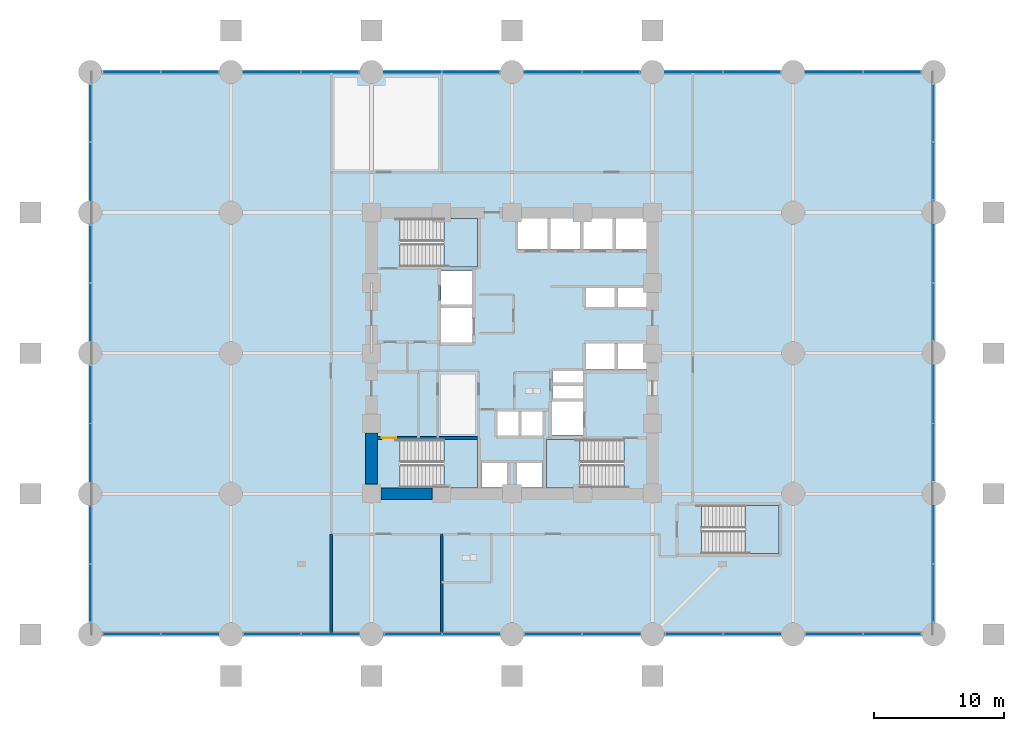
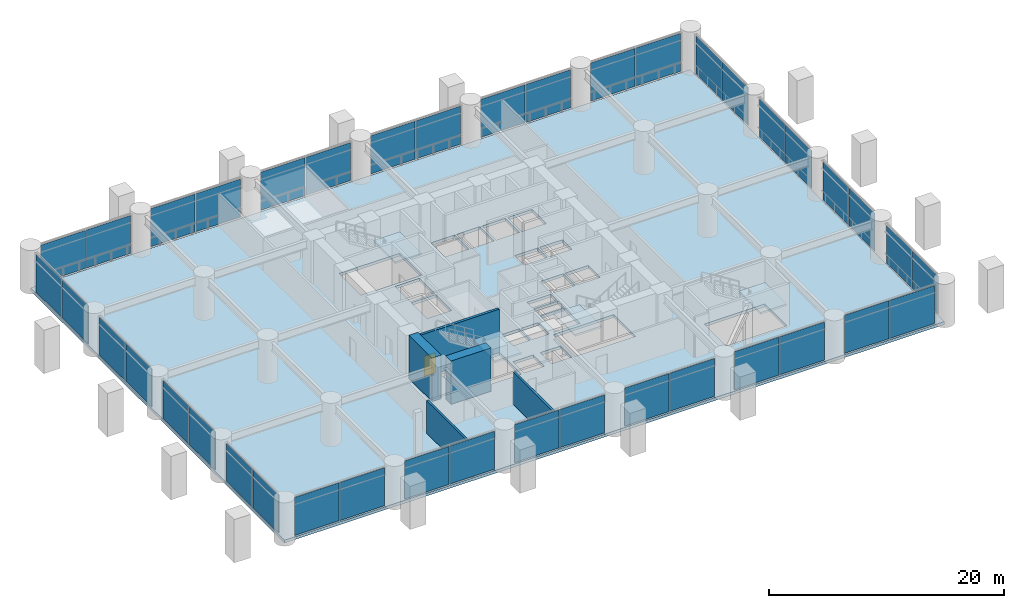
# One storey, part 22 of 31: 40 plates, 5 slabs, 5 walls, 1 door, 1 opening, 8 elements without a shape of their own.
"""IFC4 building model written with IfcOpenShell, lengths in metres."""

from ifc_helpers import new_model, si_unit, direction, frame, frame_2d, origin, place, context, subcontext, project, spatial, polyline, rectangle, outline, extrude, material, layer, layer_set, type_object, element, fill, aggregate, save


model = new_model("IFC4")

# Units and contexts
model_context = context("Model", 3, precision=1e-05, world=origin(), true_north=direction((0.0, 1.0)))
body_context = subcontext(model_context, "Body", "Model", "MODEL_VIEW")
ifc_project = project(units=[si_unit("LENGTHUNIT", "METRE"), si_unit("AREAUNIT", "SQUARE_METRE"), si_unit("VOLUMEUNIT", "CUBIC_METRE"), si_unit("PLANEANGLEUNIT", "RADIAN"), si_unit("MASSUNIT", "GRAM", prefix="KILO")], contexts=[model_context])

# Site, building, storey
site_placement = place(None, origin())
site = spatial("IfcSite", under=ifc_project, at=site_placement, CompositionType="ELEMENT")
building_placement = place(site_placement, origin())
building = spatial("IfcBuilding", under=site, at=building_placement, Name="Surkhivell Harbour Commons", CompositionType="ELEMENT")
storey_placement = place(building_placement, frame((0.0, 0.0, 4.5)))
storey = spatial("IfcBuildingStorey", under=building, at=storey_placement, Name="L01", CompositionType="ELEMENT", Elevation=4.5)

# Curtain wall, plates
ifc_material_1 = material(Name="Anodised pale-metal aluminium and insulated glazing", Category="aluminium")
ifc_layer_1 = layer(ifc_material_1, 0.239990234375)
ifc_layer_set_1 = layer_set([ifc_layer_1], Name="Anodised pale-metal aluminium and insulated glazing")
curtain_wall_type = type_object("IfcCurtainWallType", Name="CW-SYS-POD", PredefinedType="NOTDEFINED", material=ifc_layer_set_1)
curtain_wall_1_placement = place(storey_placement, origin())
curtain_wall_1 = element("IfcCurtainWall", 1, at=curtain_wall_1_placement, inside=storey, type_object=curtain_wall_type, Name="L01 Curtain Wall CW-L01-P01", PredefinedType="NOTDEFINED")
ifc_material_2 = material(Name="Double-silver low-E laminated vision glass", Category="glass")
ifc_layer_2 = layer(ifc_material_2, 0.031982421875)
ifc_layer_set_2 = layer_set([ifc_layer_2], Name="Double-silver low-E laminated vision glass")
plate_type = type_object("IfcPlateType", Name="CWP-GLZ-32", PredefinedType="CURTAIN_PANEL", material=ifc_layer_set_2)
plate_1_placement = place(storey_placement, frame((-31.423095703125, -21.60009765625, 0.14990234375), z_axis=(0.0, 0.0, 1.0), x_axis=(1.0, 0.0, 0.0)))
plate_1 = element("IfcPlate", 2, at=plate_1_placement, type_object=plate_type, Name="CW-POD panel 1.1", PredefinedType="CURTAIN_PANEL", context=body_context, shape_type="SweptSolid", body=[
    extrude(rectangle(XDim=4.385498046875, YDim=0.031982421875, at=frame_2d((2.19287109375, 0.0))), origin(), (0.0, 0.0, 1.0), 3.9501953125),
])
plate_2_placement = place(storey_placement, frame((-26.96240234375, -21.60009765625, 0.14990234375), z_axis=(0.0, 0.0, 1.0), x_axis=(1.0, 0.0, 0.0)))
plate_2 = element("IfcPlate", 3, at=plate_2_placement, type_object=plate_type, Name="CW-POD panel 2.1", PredefinedType="CURTAIN_PANEL", context=body_context, shape_type="SweptSolid", body=[
    extrude(rectangle(XDim=4.385498046875, YDim=0.031982421875, at=frame_2d((2.19287109375, 0.0))), origin(), (0.0, 0.0, 1.0), 3.9501953125),
])
plate_3_placement = place(storey_placement, frame((-20.623046875, -21.60009765625, 0.14990234375), z_axis=(0.0, 0.0, 1.0), x_axis=(1.0, 0.0, 0.0)))
plate_3 = element("IfcPlate", 4, at=plate_3_placement, type_object=plate_type, Name="CW-POD panel 3.1", PredefinedType="CURTAIN_PANEL", context=body_context, shape_type="SweptSolid", body=[
    extrude(rectangle(XDim=4.385498046875, YDim=0.031982421875, at=frame_2d((2.19287109375, 0.0))), origin(), (0.0, 0.0, 1.0), 3.9501953125),
])
plate_4_placement = place(storey_placement, frame((-16.16259765625, -21.60009765625, 0.14990234375), z_axis=(0.0, 0.0, 1.0), x_axis=(1.0, 0.0, 0.0)))
plate_4 = element("IfcPlate", 5, at=plate_4_placement, type_object=plate_type, Name="CW-POD panel 4.1", PredefinedType="CURTAIN_PANEL", context=body_context, shape_type="SweptSolid", body=[
    extrude(rectangle(XDim=4.385498046875, YDim=0.031982421875, at=frame_2d((2.19287109375, 0.0))), origin(), (0.0, 0.0, 1.0), 3.9501953125),
])
plate_5_placement = place(storey_placement, frame((-9.822998046875, -21.60009765625, 0.14990234375), z_axis=(0.0, 0.0, 1.0), x_axis=(1.0, 0.0, 0.0)))
plate_5 = element("IfcPlate", 6, at=plate_5_placement, type_object=plate_type, Name="CW-POD panel 5.1", PredefinedType="CURTAIN_PANEL", context=body_context, shape_type="SweptSolid", body=[
    extrude(rectangle(XDim=4.385498046875, YDim=0.031982421875, at=frame_2d((2.19287109375, 0.0))), origin(), (0.0, 0.0, 1.0), 3.9501953125),
])
plate_6_placement = place(storey_placement, frame((-5.362548828125, -21.60009765625, 0.14990234375), z_axis=(0.0, 0.0, 1.0), x_axis=(1.0, 0.0, 0.0)))
plate_6 = element("IfcPlate", 7, at=plate_6_placement, type_object=plate_type, Name="CW-POD panel 6.1", PredefinedType="CURTAIN_PANEL", context=body_context, shape_type="SweptSolid", body=[
    extrude(rectangle(XDim=4.385498046875, YDim=0.031982421875, at=frame_2d((2.19287109375, 0.0))), origin(), (0.0, 0.0, 1.0), 3.9501953125),
])
plate_7_placement = place(storey_placement, frame((0.97705078125, -21.60009765625, 0.14990234375), z_axis=(0.0, 0.0, 1.0), x_axis=(1.0, 0.0, 0.0)))
plate_7 = element("IfcPlate", 8, at=plate_7_placement, type_object=plate_type, Name="CW-POD panel 7.1", PredefinedType="CURTAIN_PANEL", context=body_context, shape_type="SweptSolid", body=[
    extrude(rectangle(XDim=4.385498046875, YDim=0.031982421875, at=frame_2d((2.19287109375, 0.0))), origin(), (0.0, 0.0, 1.0), 3.9501953125),
])
plate_8_placement = place(storey_placement, frame((5.4375, -21.60009765625, 0.14990234375), z_axis=(0.0, 0.0, 1.0), x_axis=(1.0, 0.0, 0.0)))
plate_8 = element("IfcPlate", 9, at=plate_8_placement, type_object=plate_type, Name="CW-POD panel 8.1", PredefinedType="CURTAIN_PANEL", context=body_context, shape_type="SweptSolid", body=[
    extrude(rectangle(XDim=4.385498046875, YDim=0.031982421875, at=frame_2d((2.19287109375, 0.0))), origin(), (0.0, 0.0, 1.0), 3.9501953125),
])
plate_9_placement = place(storey_placement, frame((11.777099609375, -21.60009765625, 0.14990234375), z_axis=(0.0, 0.0, 1.0), x_axis=(1.0, 0.0, 0.0)))
plate_9 = element("IfcPlate", 10, at=plate_9_placement, type_object=plate_type, Name="CW-POD panel 9.1", PredefinedType="CURTAIN_PANEL", context=body_context, shape_type="SweptSolid", body=[
    extrude(rectangle(XDim=4.385498046875, YDim=0.031982421875, at=frame_2d((2.19287109375, 0.0))), origin(), (0.0, 0.0, 1.0), 3.9501953125),
])
plate_10_placement = place(storey_placement, frame((16.237548828125, -21.60009765625, 0.14990234375), z_axis=(0.0, 0.0, 1.0), x_axis=(1.0, 0.0, 0.0)))
plate_10 = element("IfcPlate", 11, at=plate_10_placement, type_object=plate_type, Name="CW-POD panel 10.1", PredefinedType="CURTAIN_PANEL", context=body_context, shape_type="SweptSolid", body=[
    extrude(rectangle(XDim=4.385498046875, YDim=0.031982421875, at=frame_2d((2.19287109375, 0.0))), origin(), (0.0, 0.0, 1.0), 3.9501953125),
])
plate_11_placement = place(storey_placement, frame((22.576904296875, -21.60009765625, 0.14990234375), z_axis=(0.0, 0.0, 1.0), x_axis=(1.0, 0.0, 0.0)))
plate_11 = element("IfcPlate", 12, at=plate_11_placement, type_object=plate_type, Name="CW-POD panel 11.1", PredefinedType="CURTAIN_PANEL", context=body_context, shape_type="SweptSolid", body=[
    extrude(rectangle(XDim=4.385498046875, YDim=0.031982421875, at=frame_2d((2.19287109375, 0.0))), origin(), (0.0, 0.0, 1.0), 3.9501953125),
])
plate_12_placement = place(storey_placement, frame((27.03759765625, -21.60009765625, 0.14990234375), z_axis=(0.0, 0.0, 1.0), x_axis=(1.0, 0.0, 0.0)))
plate_12 = element("IfcPlate", 13, at=plate_12_placement, type_object=plate_type, Name="CW-POD panel 12.1", PredefinedType="CURTAIN_PANEL", context=body_context, shape_type="SweptSolid", body=[
    extrude(rectangle(XDim=4.385498046875, YDim=0.031982421875, at=frame_2d((2.19287109375, 0.0))), origin(), (0.0, 0.0, 1.0), 3.9501953125),
])
aggregate(curtain_wall_1, [plate_1, plate_2, plate_3, plate_4, plate_5, plate_6, plate_7, plate_8, plate_9, plate_10, plate_11, plate_12])

curtain_wall_2_placement = place(storey_placement, origin())
curtain_wall_2 = element("IfcCurtainWall", 14, at=curtain_wall_2_placement, inside=storey, type_object=curtain_wall_type, Name="L01 Curtain Wall CW-L01-P02", PredefinedType="NOTDEFINED")
plate_13_placement = place(storey_placement, frame((32.39990234375, -20.623046875, 0.14990234375), z_axis=(0.0, 0.0, 1.0), x_axis=(0.0, 1.0, 0.0)))
plate_13 = element("IfcPlate", 15, at=plate_13_placement, type_object=plate_type, Name="CW-POD panel 1.1", PredefinedType="CURTAIN_PANEL", context=body_context, shape_type="SweptSolid", body=[
    extrude(rectangle(XDim=4.385498046875, YDim=0.031982421875, at=frame_2d((2.19287109375, 0.0))), origin(), (0.0, 0.0, 1.0), 3.9501953125),
])
plate_14_placement = place(storey_placement, frame((32.39990234375, -16.16259765625, 0.14990234375), z_axis=(0.0, 0.0, 1.0), x_axis=(0.0, 1.0, 0.0)))
plate_14 = element("IfcPlate", 16, at=plate_14_placement, type_object=plate_type, Name="CW-POD panel 2.1", PredefinedType="CURTAIN_PANEL", context=body_context, shape_type="SweptSolid", body=[
    extrude(rectangle(XDim=4.385498046875, YDim=0.031982421875, at=frame_2d((2.19287109375, 0.0))), origin(), (0.0, 0.0, 1.0), 3.9501953125),
])
plate_15_placement = place(storey_placement, frame((32.39990234375, -9.822998046875, 0.14990234375), z_axis=(0.0, 0.0, 1.0), x_axis=(0.0, 1.0, 0.0)))
plate_15 = element("IfcPlate", 17, at=plate_15_placement, type_object=plate_type, Name="CW-POD panel 3.1", PredefinedType="CURTAIN_PANEL", context=body_context, shape_type="SweptSolid", body=[
    extrude(rectangle(XDim=4.385498046875, YDim=0.031982421875, at=frame_2d((2.19287109375, 0.0))), origin(), (0.0, 0.0, 1.0), 3.9501953125),
])
plate_16_placement = place(storey_placement, frame((32.39990234375, -5.362548828125, 0.14990234375), z_axis=(0.0, 0.0, 1.0), x_axis=(0.0, 1.0, 0.0)))
plate_16 = element("IfcPlate", 18, at=plate_16_placement, type_object=plate_type, Name="CW-POD panel 4.1", PredefinedType="CURTAIN_PANEL", context=body_context, shape_type="SweptSolid", body=[
    extrude(rectangle(XDim=4.385498046875, YDim=0.031982421875, at=frame_2d((2.19287109375, 0.0))), origin(), (0.0, 0.0, 1.0), 3.9501953125),
])
plate_17_placement = place(storey_placement, frame((32.39990234375, 0.97705078125, 0.14990234375), z_axis=(0.0, 0.0, 1.0), x_axis=(0.0, 1.0, 0.0)))
plate_17 = element("IfcPlate", 19, at=plate_17_placement, type_object=plate_type, Name="CW-POD panel 5.1", PredefinedType="CURTAIN_PANEL", context=body_context, shape_type="SweptSolid", body=[
    extrude(rectangle(XDim=4.385498046875, YDim=0.031982421875, at=frame_2d((2.19287109375, 0.0))), origin(), (0.0, 0.0, 1.0), 3.9501953125),
])
plate_18_placement = place(storey_placement, frame((32.39990234375, 5.4375, 0.14990234375), z_axis=(0.0, 0.0, 1.0), x_axis=(0.0, 1.0, 0.0)))
plate_18 = element("IfcPlate", 20, at=plate_18_placement, type_object=plate_type, Name="CW-POD panel 6.1", PredefinedType="CURTAIN_PANEL", context=body_context, shape_type="SweptSolid", body=[
    extrude(rectangle(XDim=4.385498046875, YDim=0.031982421875, at=frame_2d((2.19287109375, 0.0))), origin(), (0.0, 0.0, 1.0), 3.9501953125),
])
plate_19_placement = place(storey_placement, frame((32.39990234375, 11.777099609375, 0.14990234375), z_axis=(0.0, 0.0, 1.0), x_axis=(0.0, 1.0, 0.0)))
plate_19 = element("IfcPlate", 21, at=plate_19_placement, type_object=plate_type, Name="CW-POD panel 7.1", PredefinedType="CURTAIN_PANEL", context=body_context, shape_type="SweptSolid", body=[
    extrude(rectangle(XDim=4.385498046875, YDim=0.031982421875, at=frame_2d((2.19287109375, 0.0))), origin(), (0.0, 0.0, 1.0), 3.9501953125),
])
plate_20_placement = place(storey_placement, frame((32.39990234375, 16.237548828125, 0.14990234375), z_axis=(0.0, 0.0, 1.0), x_axis=(0.0, 1.0, 0.0)))
plate_20 = element("IfcPlate", 22, at=plate_20_placement, type_object=plate_type, Name="CW-POD panel 8.1", PredefinedType="CURTAIN_PANEL", context=body_context, shape_type="SweptSolid", body=[
    extrude(rectangle(XDim=4.385498046875, YDim=0.031982421875, at=frame_2d((2.19287109375, 0.0))), origin(), (0.0, 0.0, 1.0), 3.9501953125),
])
aggregate(curtain_wall_2, [plate_13, plate_14, plate_15, plate_16, plate_17, plate_18, plate_19, plate_20])

curtain_wall_3_placement = place(storey_placement, origin())
curtain_wall_3 = element("IfcCurtainWall", 23, at=curtain_wall_3_placement, inside=storey, type_object=curtain_wall_type, Name="L01 Curtain Wall CW-L01-P03", PredefinedType="NOTDEFINED")
plate_21_placement = place(storey_placement, frame((31.423095703125, 21.60009765625, 0.14990234375), z_axis=(0.0, 0.0, 1.0), x_axis=(-1.0, 0.0, 0.0)))
plate_21 = element("IfcPlate", 24, at=plate_21_placement, type_object=plate_type, Name="CW-POD panel 1.1", PredefinedType="CURTAIN_PANEL", context=body_context, shape_type="SweptSolid", body=[
    extrude(rectangle(XDim=4.385498046875, YDim=0.031982421875, at=frame_2d((2.19287109375, 0.0))), origin(), (0.0, 0.0, 1.0), 3.9501953125),
])
plate_22_placement = place(storey_placement, frame((26.96240234375, 21.60009765625, 0.14990234375), z_axis=(0.0, 0.0, 1.0), x_axis=(-1.0, 0.0, 0.0)))
plate_22 = element("IfcPlate", 25, at=plate_22_placement, type_object=plate_type, Name="CW-POD panel 2.1", PredefinedType="CURTAIN_PANEL", context=body_context, shape_type="SweptSolid", body=[
    extrude(rectangle(XDim=4.385498046875, YDim=0.031982421875, at=frame_2d((2.19287109375, 0.0))), origin(), (0.0, 0.0, 1.0), 3.9501953125),
])
plate_23_placement = place(storey_placement, frame((20.623046875, 21.60009765625, 0.14990234375), z_axis=(0.0, 0.0, 1.0), x_axis=(-1.0, 0.0, 0.0)))
plate_23 = element("IfcPlate", 26, at=plate_23_placement, type_object=plate_type, Name="CW-POD panel 3.1", PredefinedType="CURTAIN_PANEL", context=body_context, shape_type="SweptSolid", body=[
    extrude(rectangle(XDim=4.385498046875, YDim=0.031982421875, at=frame_2d((2.19287109375, 0.0))), origin(), (0.0, 0.0, 1.0), 3.9501953125),
])
plate_24_placement = place(storey_placement, frame((16.16259765625, 21.60009765625, 0.14990234375), z_axis=(0.0, 0.0, 1.0), x_axis=(-1.0, 0.0, 0.0)))
plate_24 = element("IfcPlate", 27, at=plate_24_placement, type_object=plate_type, Name="CW-POD panel 4.1", PredefinedType="CURTAIN_PANEL", context=body_context, shape_type="SweptSolid", body=[
    extrude(rectangle(XDim=4.385498046875, YDim=0.031982421875, at=frame_2d((2.19287109375, 0.0))), origin(), (0.0, 0.0, 1.0), 3.9501953125),
])
plate_25_placement = place(storey_placement, frame((9.822998046875, 21.60009765625, 0.14990234375), z_axis=(0.0, 0.0, 1.0), x_axis=(-1.0, 0.0, 0.0)))
plate_25 = element("IfcPlate", 28, at=plate_25_placement, type_object=plate_type, Name="CW-POD panel 5.1", PredefinedType="CURTAIN_PANEL", context=body_context, shape_type="SweptSolid", body=[
    extrude(rectangle(XDim=4.385498046875, YDim=0.031982421875, at=frame_2d((2.19287109375, 0.0))), origin(), (0.0, 0.0, 1.0), 3.9501953125),
])
plate_26_placement = place(storey_placement, frame((5.362548828125, 21.60009765625, 0.14990234375), z_axis=(0.0, 0.0, 1.0), x_axis=(-1.0, 0.0, 0.0)))
plate_26 = element("IfcPlate", 29, at=plate_26_placement, type_object=plate_type, Name="CW-POD panel 6.1", PredefinedType="CURTAIN_PANEL", context=body_context, shape_type="SweptSolid", body=[
    extrude(rectangle(XDim=4.385498046875, YDim=0.031982421875, at=frame_2d((2.19287109375, 0.0))), origin(), (0.0, 0.0, 1.0), 3.9501953125),
])
plate_27_placement = place(storey_placement, frame((-0.97705078125, 21.60009765625, 0.14990234375), z_axis=(0.0, 0.0, 1.0), x_axis=(-1.0, 0.0, 0.0)))
plate_27 = element("IfcPlate", 30, at=plate_27_placement, type_object=plate_type, Name="CW-POD panel 7.1", PredefinedType="CURTAIN_PANEL", context=body_context, shape_type="SweptSolid", body=[
    extrude(rectangle(XDim=4.385498046875, YDim=0.031982421875, at=frame_2d((2.19287109375, 0.0))), origin(), (0.0, 0.0, 1.0), 3.9501953125),
])
plate_28_placement = place(storey_placement, frame((-5.4375, 21.60009765625, 0.14990234375), z_axis=(0.0, 0.0, 1.0), x_axis=(-1.0, 0.0, 0.0)))
plate_28 = element("IfcPlate", 31, at=plate_28_placement, type_object=plate_type, Name="CW-POD panel 8.1", PredefinedType="CURTAIN_PANEL", context=body_context, shape_type="SweptSolid", body=[
    extrude(rectangle(XDim=4.385498046875, YDim=0.031982421875, at=frame_2d((2.19287109375, 0.0))), origin(), (0.0, 0.0, 1.0), 3.9501953125),
])
plate_29_placement = place(storey_placement, frame((-11.777099609375, 21.60009765625, 0.14990234375), z_axis=(0.0, 0.0, 1.0), x_axis=(-1.0, 0.0, 0.0)))
plate_29 = element("IfcPlate", 32, at=plate_29_placement, type_object=plate_type, Name="CW-POD panel 9.1", PredefinedType="CURTAIN_PANEL", context=body_context, shape_type="SweptSolid", body=[
    extrude(rectangle(XDim=4.385498046875, YDim=0.031982421875, at=frame_2d((2.19287109375, 0.0))), origin(), (0.0, 0.0, 1.0), 3.9501953125),
])
plate_30_placement = place(storey_placement, frame((-16.237548828125, 21.60009765625, 0.14990234375), z_axis=(0.0, 0.0, 1.0), x_axis=(-1.0, 0.0, 0.0)))
plate_30 = element("IfcPlate", 33, at=plate_30_placement, type_object=plate_type, Name="CW-POD panel 10.1", PredefinedType="CURTAIN_PANEL", context=body_context, shape_type="SweptSolid", body=[
    extrude(rectangle(XDim=4.385498046875, YDim=0.031982421875, at=frame_2d((2.19287109375, 0.0))), origin(), (0.0, 0.0, 1.0), 3.9501953125),
])
plate_31_placement = place(storey_placement, frame((-22.576904296875, 21.60009765625, 0.14990234375), z_axis=(0.0, 0.0, 1.0), x_axis=(-1.0, 0.0, 0.0)))
plate_31 = element("IfcPlate", 34, at=plate_31_placement, type_object=plate_type, Name="CW-POD panel 11.1", PredefinedType="CURTAIN_PANEL", context=body_context, shape_type="SweptSolid", body=[
    extrude(rectangle(XDim=4.385498046875, YDim=0.031982421875, at=frame_2d((2.19287109375, 0.0))), origin(), (0.0, 0.0, 1.0), 3.9501953125),
])
plate_32_placement = place(storey_placement, frame((-27.03759765625, 21.60009765625, 0.14990234375), z_axis=(0.0, 0.0, 1.0), x_axis=(-1.0, 0.0, 0.0)))
plate_32 = element("IfcPlate", 35, at=plate_32_placement, type_object=plate_type, Name="CW-POD panel 12.1", PredefinedType="CURTAIN_PANEL", context=body_context, shape_type="SweptSolid", body=[
    extrude(rectangle(XDim=4.385498046875, YDim=0.031982421875, at=frame_2d((2.19287109375, 0.0))), origin(), (0.0, 0.0, 1.0), 3.9501953125),
])
aggregate(curtain_wall_3, [plate_21, plate_22, plate_23, plate_24, plate_25, plate_26, plate_27, plate_28, plate_29, plate_30, plate_31, plate_32])

curtain_wall_4_placement = place(storey_placement, origin())
curtain_wall_4 = element("IfcCurtainWall", 36, at=curtain_wall_4_placement, inside=storey, type_object=curtain_wall_type, Name="L01 Curtain Wall CW-L01-P04", PredefinedType="NOTDEFINED")
plate_33_placement = place(storey_placement, frame((-32.39990234375, 20.623046875, 0.14990234375), z_axis=(0.0, 0.0, 1.0), x_axis=(0.0, -1.0, 0.0)))
plate_33 = element("IfcPlate", 37, at=plate_33_placement, type_object=plate_type, Name="CW-POD panel 1.1", PredefinedType="CURTAIN_PANEL", context=body_context, shape_type="SweptSolid", body=[
    extrude(rectangle(XDim=4.385498046875, YDim=0.031982421875, at=frame_2d((2.19287109375, 0.0))), origin(), (0.0, 0.0, 1.0), 3.9501953125),
])
plate_34_placement = place(storey_placement, frame((-32.39990234375, 16.16259765625, 0.14990234375), z_axis=(0.0, 0.0, 1.0), x_axis=(0.0, -1.0, 0.0)))
plate_34 = element("IfcPlate", 38, at=plate_34_placement, type_object=plate_type, Name="CW-POD panel 2.1", PredefinedType="CURTAIN_PANEL", context=body_context, shape_type="SweptSolid", body=[
    extrude(rectangle(XDim=4.385498046875, YDim=0.031982421875, at=frame_2d((2.19287109375, 0.0))), origin(), (0.0, 0.0, 1.0), 3.9501953125),
])
plate_35_placement = place(storey_placement, frame((-32.39990234375, 9.822998046875, 0.14990234375), z_axis=(0.0, 0.0, 1.0), x_axis=(0.0, -1.0, 0.0)))
plate_35 = element("IfcPlate", 39, at=plate_35_placement, type_object=plate_type, Name="CW-POD panel 3.1", PredefinedType="CURTAIN_PANEL", context=body_context, shape_type="SweptSolid", body=[
    extrude(rectangle(XDim=4.385498046875, YDim=0.031982421875, at=frame_2d((2.19287109375, 0.0))), origin(), (0.0, 0.0, 1.0), 3.9501953125),
])
plate_36_placement = place(storey_placement, frame((-32.39990234375, 5.362548828125, 0.14990234375), z_axis=(0.0, 0.0, 1.0), x_axis=(0.0, -1.0, 0.0)))
plate_36 = element("IfcPlate", 40, at=plate_36_placement, type_object=plate_type, Name="CW-POD panel 4.1", PredefinedType="CURTAIN_PANEL", context=body_context, shape_type="SweptSolid", body=[
    extrude(rectangle(XDim=4.385498046875, YDim=0.031982421875, at=frame_2d((2.19287109375, 0.0))), origin(), (0.0, 0.0, 1.0), 3.9501953125),
])
plate_37_placement = place(storey_placement, frame((-32.39990234375, -0.97705078125, 0.14990234375), z_axis=(0.0, 0.0, 1.0), x_axis=(0.0, -1.0, 0.0)))
plate_37 = element("IfcPlate", 41, at=plate_37_placement, type_object=plate_type, Name="CW-POD panel 5.1", PredefinedType="CURTAIN_PANEL", context=body_context, shape_type="SweptSolid", body=[
    extrude(rectangle(XDim=4.385498046875, YDim=0.031982421875, at=frame_2d((2.19287109375, 0.0))), origin(), (0.0, 0.0, 1.0), 3.9501953125),
])
plate_38_placement = place(storey_placement, frame((-32.39990234375, -5.4375, 0.14990234375), z_axis=(0.0, 0.0, 1.0), x_axis=(0.0, -1.0, 0.0)))
plate_38 = element("IfcPlate", 42, at=plate_38_placement, type_object=plate_type, Name="CW-POD panel 6.1", PredefinedType="CURTAIN_PANEL", context=body_context, shape_type="SweptSolid", body=[
    extrude(rectangle(XDim=4.385498046875, YDim=0.031982421875, at=frame_2d((2.19287109375, 0.0))), origin(), (0.0, 0.0, 1.0), 3.9501953125),
])
plate_39_placement = place(storey_placement, frame((-32.39990234375, -11.777099609375, 0.14990234375), z_axis=(0.0, 0.0, 1.0), x_axis=(0.0, -1.0, 0.0)))
plate_39 = element("IfcPlate", 43, at=plate_39_placement, type_object=plate_type, Name="CW-POD panel 7.1", PredefinedType="CURTAIN_PANEL", context=body_context, shape_type="SweptSolid", body=[
    extrude(rectangle(XDim=4.385498046875, YDim=0.031982421875, at=frame_2d((2.19287109375, 0.0))), origin(), (0.0, 0.0, 1.0), 3.9501953125),
])
plate_40_placement = place(storey_placement, frame((-32.39990234375, -16.237548828125, 0.14990234375), z_axis=(0.0, 0.0, 1.0), x_axis=(0.0, -1.0, 0.0)))
plate_40 = element("IfcPlate", 44, at=plate_40_placement, type_object=plate_type, Name="CW-POD panel 8.1", PredefinedType="CURTAIN_PANEL", context=body_context, shape_type="SweptSolid", body=[
    extrude(rectangle(XDim=4.385498046875, YDim=0.031982421875, at=frame_2d((2.19287109375, 0.0))), origin(), (0.0, 0.0, 1.0), 3.9501953125),
])
aggregate(curtain_wall_4, [plate_33, plate_34, plate_35, plate_36, plate_37, plate_38, plate_39, plate_40])

# Slab
ifc_material_3 = material(Name="Concrete C50/60", Category="concrete")
ifc_layer_3 = layer(ifc_material_3, 0.300048828125)
ifc_layer_set_3 = layer_set([ifc_layer_3], Name="Concrete C50/60")
slab_type_1 = type_object("IfcSlabType", Name="SLB-POD-300", PredefinedType="FLOOR", material=ifc_layer_set_3)
slab_1_placement = place(storey_placement, frame((0.0, 0.0, -0.300048828125)))
element("IfcSlab", 45, at=slab_1_placement, inside=storey, type_object=slab_type_1, Name="L01 Structural Floor Slab", PredefinedType="FLOOR", context=body_context, shape_type="SweptSolid", body=[
    extrude(outline(polyline([(-32.39990234375, -21.60009765625), (32.39990234375, -21.60009765625), (32.39990234375, 21.60009765625), (-32.39990234375, 21.60009765625), (-32.39990234375, -21.60009765625)]), holes=[polyline([(-8.590087890625, 6.639892578125), (-2.639892578125, 6.639892578125), (-2.639892578125, 10.340087890625), (-8.590087890625, 10.340087890625), (-8.590087890625, 6.639892578125)]), polyline([(8.590087890625, -6.639892578125), (2.639892578125, -6.639892578125), (2.639892578125, -10.340087890625), (8.590087890625, -10.340087890625), (8.590087890625, -6.639892578125)]), polyline([(-8.590087890625, -10.340087890625), (-2.639892578125, -10.340087890625), (-2.639892578125, -6.639892578125), (-8.590087890625, -6.639892578125), (-8.590087890625, -10.340087890625)]), polyline([(14.550048828125, -15.39990234375), (20.5, -15.39990234375), (20.5, -11.699951171875), (14.550048828125, -11.699951171875), (14.550048828125, -15.39990234375)]), polyline([(0.449951171875, 7.949951171875), (2.75, 7.949951171875), (2.75, 10.35009765625), (0.449951171875, 10.35009765625), (0.449951171875, 7.949951171875)]), polyline([(2.949951171875, 7.949951171875), (5.25, 7.949951171875), (5.25, 10.35009765625), (2.949951171875, 10.35009765625), (2.949951171875, 7.949951171875)]), polyline([(5.449951171875, 7.949951171875), (7.75, 7.949951171875), (7.75, 10.35009765625), (5.449951171875, 10.35009765625), (5.449951171875, 7.949951171875)]), polyline([(7.949951171875, 7.949951171875), (10.35009765625, 7.949951171875), (10.35009765625, 10.35009765625), (7.949951171875, 10.35009765625), (7.949951171875, 7.949951171875)]), polyline([(5.64990234375, 3.550048828125), (7.89990234375, 3.550048828125), (7.89990234375, 5.14990234375), (5.64990234375, 5.14990234375), (5.64990234375, 3.550048828125)]), polyline([(8.10009765625, 3.550048828125), (10.35009765625, 3.550048828125), (10.35009765625, 5.14990234375), (8.10009765625, 5.14990234375), (8.10009765625, 3.550048828125)]), polyline([(5.64990234375, -1.25), (7.89990234375, -1.25), (7.89990234375, 0.75), (5.64990234375, 0.75), (5.64990234375, -1.25)]), polyline([(8.10009765625, -1.25), (10.35009765625, -1.25), (10.35009765625, 0.75), (8.10009765625, 0.75), (8.10009765625, -1.25)]), polyline([(-1.14990234375, -6.35009765625), (0.550048828125, -6.35009765625), (0.550048828125, -4.449951171875), (-1.14990234375, -4.449951171875), (-1.14990234375, -6.35009765625)]), polyline([(0.679931640625, -6.35009765625), (2.3798828125, -6.35009765625), (2.3798828125, -4.449951171875), (0.679931640625, -4.449951171875), (0.679931640625, -6.35009765625)]), polyline([(-2.35009765625, -10.300048828125), (-0.35009765625, -10.300048828125), (-0.35009765625, -8.39990234375), (-2.35009765625, -8.39990234375), (-2.35009765625, -10.300048828125)]), polyline([(0.35009765625, -10.300048828125), (2.35009765625, -10.300048828125), (2.35009765625, -8.39990234375), (0.35009765625, -8.39990234375), (0.35009765625, -10.300048828125)]), polyline([(-5.449951171875, 3.699951171875), (-3.050048828125, 3.699951171875), (-3.050048828125, 6.300048828125), (-5.449951171875, 6.300048828125), (-5.449951171875, 3.699951171875)]), polyline([(3.050048828125, -6.300048828125), (5.449951171875, -6.300048828125), (5.449951171875, -3.699951171875), (3.050048828125, -3.699951171875), (3.050048828125, -6.300048828125)]), polyline([(-5.449951171875, 0.800048828125), (-3.050048828125, 0.800048828125), (-3.050048828125, 3.5), (-5.449951171875, 3.5), (-5.449951171875, 0.800048828125)]), polyline([(3.10009765625, -3.550048828125), (5.449951171875, -3.550048828125), (5.449951171875, -2.47998046875), (3.10009765625, -2.47998046875), (3.10009765625, -3.550048828125)]), polyline([(3.10009765625, -2.280029296875), (5.449951171875, -2.280029296875), (5.449951171875, -1.35009765625), (3.10009765625, -1.35009765625), (3.10009765625, -2.280029296875)])]), origin(), (0.0, 0.0, 1.0), 0.300048828125),
])

# Stair, slab
ifc_material_4 = material(Name="Precast concrete C45/55", Category="concrete")
stair_type = type_object("IfcStairType", Name="STR-DL-450", PredefinedType="HALF_TURN_STAIR", material=ifc_material_4)
stair_1_placement = place(storey_placement, origin())
stair_1 = element("IfcStair", 46, at=stair_1_placement, inside=storey, type_object=stair_type, Name="L01 Core Exit Stair ST1", PredefinedType="HALF_TURN_STAIR")
ifc_material_5 = material(Name="Reinforced concrete C45/55", Category="concrete")
ifc_layer_4 = layer(ifc_material_5, 0.199951171875)
ifc_layer_set_4 = layer_set([ifc_layer_4], Name="Reinforced concrete C45/55")
slab_type_2 = type_object("IfcSlabType", Name="SLB-ST-LND200", PredefinedType="LANDING", material=ifc_layer_set_4)
slab_2_placement = place(storey_placement, frame((0.0, 0.0, 2.050048828125)))
slab_2 = element("IfcSlab", 47, at=slab_2_placement, type_object=slab_type_2, Name="ST1 landing 1", PredefinedType="LANDING", context=body_context, shape_type="SweptSolid", body=[
    extrude(outline(polyline([(-5.22998046875, 6.639892578125), (-2.639892578125, 6.639892578125), (-2.639892578125, 10.340087890625), (-5.22998046875, 10.340087890625), (-5.22998046875, 6.639892578125)])), origin(), (0.0, 0.0, 1.0), 0.199951171875),
])
aggregate(stair_1, [slab_2])

stair_2_placement = place(storey_placement, origin())
stair_2 = element("IfcStair", 48, at=stair_2_placement, inside=storey, type_object=stair_type, Name="L01 Core Exit Stair ST2", PredefinedType="HALF_TURN_STAIR")
slab_3_placement = place(storey_placement, frame((0.0, 0.0, 2.050048828125)))
slab_3 = element("IfcSlab", 49, at=slab_3_placement, type_object=slab_type_2, Name="ST2 landing 1", PredefinedType="LANDING", context=body_context, shape_type="SweptSolid", body=[
    extrude(outline(polyline([(5.22998046875, -6.639892578125), (2.639892578125, -6.639892578125), (2.639892578125, -10.340087890625), (5.22998046875, -10.340087890625), (5.22998046875, -6.639892578125)])), origin(), (0.0, 0.0, 1.0), 0.199951171875),
])
aggregate(stair_2, [slab_3])

stair_3_placement = place(storey_placement, origin())
stair_3 = element("IfcStair", 50, at=stair_3_placement, inside=storey, type_object=stair_type, Name="L01 Core Exit Stair ST3", PredefinedType="HALF_TURN_STAIR")
slab_4_placement = place(storey_placement, frame((0.0, 0.0, 2.050048828125)))
slab_4 = element("IfcSlab", 51, at=slab_4_placement, type_object=slab_type_2, Name="ST3 landing 1", PredefinedType="LANDING", context=body_context, shape_type="SweptSolid", body=[
    extrude(outline(polyline([(-5.22998046875, -10.340087890625), (-2.639892578125, -10.340087890625), (-2.639892578125, -6.639892578125), (-5.22998046875, -6.639892578125), (-5.22998046875, -10.340087890625)])), origin(), (0.0, 0.0, 1.0), 0.199951171875),
])
aggregate(stair_3, [slab_4])

stair_4_placement = place(storey_placement, origin())
stair_4 = element("IfcStair", 52, at=stair_4_placement, inside=storey, type_object=stair_type, Name="L01 Podium Exit Stair ST4", PredefinedType="HALF_TURN_STAIR")
slab_5_placement = place(storey_placement, frame((0.0, 0.0, 2.050048828125)))
slab_5 = element("IfcSlab", 53, at=slab_5_placement, type_object=slab_type_2, Name="ST4 landing 1", PredefinedType="LANDING", context=body_context, shape_type="SweptSolid", body=[
    extrude(outline(polyline([(17.909912109375, -15.39990234375), (20.5, -15.39990234375), (20.5, -11.699951171875), (17.909912109375, -11.699951171875), (17.909912109375, -15.39990234375)])), origin(), (0.0, 0.0, 1.0), 0.199951171875),
])
aggregate(stair_4, [slab_5])

# Walls
ifc_material_6 = material(Name="Concrete C80/95", Category="concrete")
ifc_layer_5 = layer(ifc_material_6, 0.89990234375)
ifc_layer_set_5 = layer_set([ifc_layer_5], Name="Concrete C80/95")
wall_type_1 = type_object("IfcWallType", Name="WAL-CORE-900", PredefinedType="SHEAR", material=ifc_layer_set_5)
for number, where, z_axis, x_axis, name in (
    (54, (-10.06494140625, -10.800048828125, 0.0), (0.0, 0.0, 1.0), (1.0, 0.0, 0.0), "L01 Core Shear Wall South 1"),
    (55, (-10.800048828125, -10.06494140625, 0.0), (0.0, 0.0, 1.0), (0.0, 1.0, 0.0), "L01 Core Shear Wall West 1"),
):
    element("IfcWall", number, at=place(storey_placement, frame(where, z_axis=z_axis, x_axis=x_axis)), inside=storey, type_object=wall_type_1, Name=name, PredefinedType="SHEAR", context=body_context, shape_type="SweptSolid", body=[
        extrude(rectangle(XDim=3.929931640625, YDim=0.89990234375, at=frame_2d((1.96484375, 0.0))), origin(), (0.0, 0.0, 1.0), 4.5),
    ])
ifc_material_7 = material(Name="Autoclaved aerated concrete blockwork and fire plaster", Category="masonry")
ifc_layer_6 = layer(ifc_material_7, 0.199951171875)
ifc_layer_set_6 = layer_set([ifc_layer_6], Name="Autoclaved aerated concrete blockwork and fire plaster")
wall_type_2 = type_object("IfcWallType", Name="WAL-INT-200", PredefinedType="PARTITIONING", material=ifc_layer_set_6)
for number, where, z_axis, x_axis, name in (
    (56, (-5.39990234375, -21.56005859375, 0.0), (0.0, 0.0, 1.0), (0.0, 1.0, 0.0), "L01 Podium South WC West Wall"),
    (57, (-13.89990234375, -21.56005859375, 0.0), (0.0, 0.0, 1.0), (0.0, 1.0, 0.0), "L01 Corner SW Divider"),
):
    element("IfcWall", number, at=place(storey_placement, frame(where, z_axis=z_axis, x_axis=x_axis)), inside=storey, type_object=wall_type_2, Name=name, PredefinedType="PARTITIONING", context=body_context, shape_type="SweptSolid", body=[
        extrude(rectangle(XDim=7.66015625, YDim=0.199951171875, at=frame_2d((3.830078125, 0.0))), origin(), (0.0, 0.0, 1.0), 3.37890625),
    ])

# Wall, opening, door
ifc_layer_7 = layer(ifc_material_3, 0.25)
ifc_layer_set_7 = layer_set([ifc_layer_7], Name="Concrete C50/60")
wall_type_3 = type_object("IfcWallType", Name="WAL-SHAFT-250", PredefinedType="SHEAR", material=ifc_layer_set_7)
wall_placement = place(storey_placement, frame((-10.340087890625, -6.510009765625, 0.0), z_axis=(0.0, 0.0, 1.0), x_axis=(1.0, 0.0, 0.0)))
wall = element("IfcWall", 58, at=wall_placement, inside=storey, type_object=wall_type_3, Name="L01 Stair ST3 North Shear Wall", PredefinedType="SHEAR", context=body_context, shape_type="SweptSolid", body=[
    extrude(rectangle(XDim=7.7001953125, YDim=0.25, at=frame_2d((3.85009765625, 0.0))), origin(), (0.0, 0.0, 1.0), 4.5),
])
opening_placement = place(wall_placement, frame((0.35009765625, 0.0, 0.0)))
opening = element("IfcOpeningElement", 59, at=opening_placement, cuts=wall, Name="Opening ID-2", PredefinedType="OPENING", context=body_context, shape_type="SweptSolid", body=[
    extrude(rectangle(XDim=1.10009765625, YDim=2.10009765625, at=frame_2d((0.550048828125, 1.050048828125))), frame((0.0, 0.135009765625, 0.0), z_axis=(0.0, -1.0, 0.0), x_axis=(1.0, 0.0, 0.0)), (0.0, 0.0, 1.0), 0.27001953125),
])
ifc_material_8 = material(Name="Hardwood-veneered fire-rated door leaf", Category="wood")
door_type = type_object("IfcDoorType", Name="DOR-FD60-1100", OperationType="NOTDEFINED", PredefinedType="DOOR", material=ifc_material_8)
door_placement = place(opening_placement, origin())
door = element("IfcDoor", 60, at=door_placement, inside=storey, type_object=door_type, Name="L01 Stair ST3 Exit Door", OperationType="SINGLE_SWING_RIGHT", OverallHeight=2.10009765625, OverallWidth=1.10009765625, PredefinedType="DOOR", context=body_context, shape_type="SweptSolid", body=[
    extrude(rectangle(XDim=1.10009765625, YDim=2.10009765625, at=frame_2d((0.550048828125, 1.050048828125))), frame((0.0, 0.02490234375, 0.0), z_axis=(0.0, -1.0, 0.0), x_axis=(1.0, 0.0, 0.0)), (0.0, 0.0, 1.0), 0.050048828125),
])
fill(opening, door)

save(model, "model.ifc")
